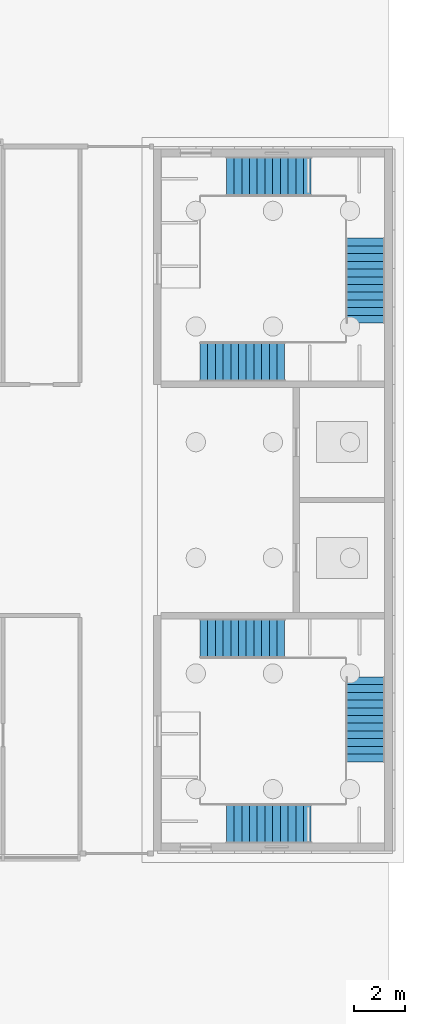
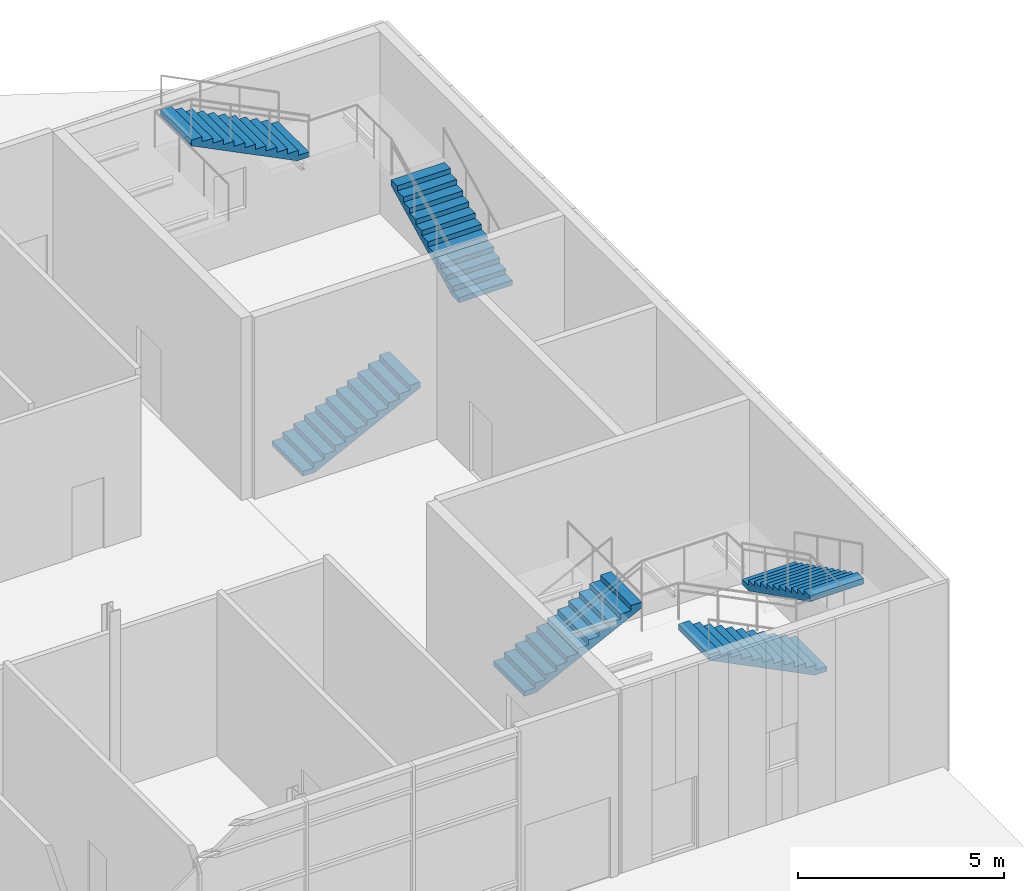
# One storey, part 36 of 45: 6 stair flights, 2 elements without a shape of their own.
"""IFC4 building model written with IfcOpenShell, lengths in metres."""

import ifcopenshell
import ifcopenshell.guid

model = None  # the IFC model being written
_history = None  # IfcOwnerHistory: only IFC2X3 demands one
_inside = {}  # id of a spatial element -> (the spatial element, [elements in it])
_under = {}  # id of a project, library or spatial element -> (it, [spatial elements below it])
_declared = {}  # id of a project -> (the project, [libraries it declares])
_typed = {}  # id of a type object -> (the type object, [elements of that type])
_made_of = {}  # id of a material, layer set ... -> (it, [elements and type objects made of it])


def new_model(schema):
    """Start an empty IFC model of exactly this schema.

    Asked for "IFC4X3", IfcOpenShell would pick the latest addendum, in which some entities
    have other attributes; the version numbers below select the first issue.
    IFC2X3 requires an IfcOwnerHistory on every rooted entity: one is made here for all.
    """
    global model, _history
    if schema == "IFC4X3":
        model = ifcopenshell.file(schema_version=(4, 3, 0, 0))
    else:
        model = ifcopenshell.file(schema=schema)
    _inside.clear()
    _under.clear()
    _declared.clear()
    _typed.clear()
    _made_of.clear()
    _history = None
    if model.schema == "IFC2X3":
        org = make("IfcOrganization", Name="unknown")
        user = make(
            "IfcPersonAndOrganization",
            ThePerson=make("IfcPerson", FamilyName="unknown"),
            TheOrganization=org,
        )
        app = make(
            "IfcApplication",
            ApplicationDeveloper=org,
            Version="unknown",
            ApplicationFullName="unknown",
            ApplicationIdentifier="unknown",
        )
        _history = make(
            "IfcOwnerHistory",
            OwningUser=user,
            OwningApplication=app,
            ChangeAction="ADDED",
            CreationDate=0,
        )
    return model


def make(cls, **values):
    """One entity of the class cls with the attributes given. An attribute that is None is left unset."""
    return model.create_entity(
        cls, **{name: value for name, value in values.items() if value is not None}
    )


def rooted(cls, **values):
    """An entity with a GlobalId (a new one), such as an element, a storey or a relation."""
    return make(cls, GlobalId=ifcopenshell.guid.new(), OwnerHistory=_history, **values)


def si_unit(unit_type, name, prefix=None):
    """IfcSIUnit, for example si_unit("LENGTHUNIT", "METRE", prefix="MILLI")."""
    return make("IfcSIUnit", UnitType=unit_type, Prefix=prefix, Name=name)


def assignment(units):
    """IfcUnitAssignment: the units of a project."""
    return None if units is None else make("IfcUnitAssignment", Units=units)


def point(xyz):
    """IfcCartesianPoint."""
    return None if xyz is None else make("IfcCartesianPoint", Coordinates=xyz)


def direction(xyz):
    """IfcDirection."""
    return None if xyz is None else make("IfcDirection", DirectionRatios=xyz)


def frame(location, z_axis=None, x_axis=None):
    """IfcAxis2Placement3D, a coordinate frame: its origin and axes. An axis left out is left unset."""
    return make(
        "IfcAxis2Placement3D",
        Location=point(location),
        Axis=direction(z_axis),
        RefDirection=direction(x_axis),
    )


def origin():
    """The frame at (0, 0, 0) with its axes left unset."""
    return frame((0.0, 0.0, 0.0))


def place(relative_to, where):
    """IfcLocalPlacement: puts the frame where relative to a parent placement (None: the world)."""
    return make(
        "IfcLocalPlacement", PlacementRelTo=relative_to, RelativePlacement=where
    )


def context(
    kind, dimensions, precision=None, world=None, true_north=None, identifier=None
):
    """IfcGeometricRepresentationContext, for example the 3D "Model" context."""
    return make(
        "IfcGeometricRepresentationContext",
        ContextIdentifier=identifier,
        ContextType=kind,
        CoordinateSpaceDimension=dimensions,
        Precision=precision,
        WorldCoordinateSystem=world,
        TrueNorth=true_north,
    )


def subcontext(parent, identifier, kind, view, scale=None):
    """IfcGeometricRepresentationSubContext, for example "Body" below "Model"."""
    return make(
        "IfcGeometricRepresentationSubContext",
        ContextIdentifier=identifier,
        ContextType=kind,
        ParentContext=parent,
        TargetScale=scale,
        TargetView=view,
    )


def project(units=None, contexts=None):
    """IfcProject with its units and contexts."""
    return rooted(
        "IfcProject",
        Name="project",
        RepresentationContexts=contexts,
        UnitsInContext=assignment(units),
    )


def spatial(cls, under=None, at=None, **own):
    """A site, building, storey or space (cls), placed at a placement, below another one or the project."""
    s = rooted(cls, ObjectPlacement=at, **own)
    if under is not None:
        _under.setdefault(under.id(), (under, []))[1].append(s)
    return s


def polyline(points):
    """IfcPolyline through the points."""
    return make("IfcPolyline", Points=[point(p) for p in points])


def outline(outer, holes=None, kind="AREA"):
    """IfcArbitraryClosedProfileDef: a profile drawn as a closed curve; with holes, ...WithVoids."""
    if holes is None:
        return make("IfcArbitraryClosedProfileDef", ProfileType=kind, OuterCurve=outer)
    return make(
        "IfcArbitraryProfileDefWithVoids",
        ProfileType=kind,
        OuterCurve=outer,
        InnerCurves=holes,
    )


def extrude(swept, where, along, depth):
    """IfcExtrudedAreaSolid: the profile swept, set in the frame where, extruded along a direction by depth."""
    return make(
        "IfcExtrudedAreaSolid",
        SweptArea=swept,
        Position=where,
        ExtrudedDirection=direction(along),
        Depth=depth,
    )


def shape(context_of_items, identifier, shape_type, items):
    """IfcShapeRepresentation: the items that make up one representation, for example the "Body"."""
    return make(
        "IfcShapeRepresentation",
        ContextOfItems=context_of_items,
        RepresentationIdentifier=identifier,
        RepresentationType=shape_type,
        Items=items,
    )


def material(Name=None, Category=None):
    """IfcMaterial."""
    return make("IfcMaterial", Name=Name, Category=Category)


def made_of(thing, what):
    """Note that an element or type object is made of a material, layer set ...; save() writes the relation."""
    if what is not None:
        _made_of.setdefault(what.id(), (what, []))[1].append(thing)
    return thing


def type_object(cls, material=None, **own):
    """A type object (cls), such as IfcWallType, which elements share."""
    return made_of(rooted(cls, **own), material)


def element(
    cls,
    number,
    at=None,
    inside=None,
    cuts=None,
    type_object=None,
    material=None,
    context=None,
    identifier="Body",
    shape_type=None,
    held_by="IfcProductDefinitionShape",
    body=None,
    shapes=None,
    **own,
):
    """One element of the class cls, such as IfcWall. Its Tag is "e" and its number.

    at: its placement. inside: the storey or other place that contains it. cuts: it is an
    opening in that element (IfcRelVoidsElement). A single representation is given by context,
    identifier, shape_type and body (its items); several are given by shapes. held_by: the class
    of the entity that holds the representations. save() writes the other relations.
    """
    e = rooted(cls, Tag="e%d" % number, ObjectPlacement=at, **own)
    if body is not None:
        shapes = [shape(context, identifier, shape_type, body)]
    if shapes is not None:
        e.Representation = make(held_by, Representations=shapes)
    if inside is not None:
        _inside.setdefault(inside.id(), (inside, []))[1].append(e)
    if cuts is not None:
        rooted(
            "IfcRelVoidsElement", RelatingBuildingElement=cuts, RelatedOpeningElement=e
        )
    if type_object is not None:
        _typed.setdefault(type_object.id(), (type_object, []))[1].append(e)
    return made_of(e, material)


def aggregate(whole, parts):
    """IfcRelAggregates: a whole, such as a stair, and the parts it consists of."""
    return rooted("IfcRelAggregates", RelatingObject=whole, RelatedObjects=parts)


def save(model, path):
    """Write the relations noted so far, then the file.

    IfcRelAggregates (storeys below a building ...), IfcRelContainedInSpatialStructure (elements
    in a storey), IfcRelDefinesByType, IfcRelAssociatesMaterial and IfcRelDeclares: one each for
    every whole, place, type object, material and project.
    """
    for whole, parts in _under.values():
        aggregate(whole, parts)
    for where, things in _inside.values():
        rooted(
            "IfcRelContainedInSpatialStructure",
            RelatedElements=things,
            RelatingStructure=where,
        )
    for kind, things in _typed.values():
        rooted("IfcRelDefinesByType", RelatedObjects=things, RelatingType=kind)
    for what, things in _made_of.values():
        rooted("IfcRelAssociatesMaterial", RelatedObjects=things, RelatingMaterial=what)
    for by, libraries in _declared.values():
        rooted("IfcRelDeclares", RelatingContext=by, RelatedDefinitions=libraries)
    model.write(path)


model = new_model("IFC4")

# Units and contexts
model_context = context("Model", 3, precision=1e-05, world=origin(), true_north=direction((0.0, 1.0)))
body_context = subcontext(model_context, "Body", "Model", "MODEL_VIEW")
ifc_project = project(units=[si_unit("LENGTHUNIT", "METRE"), si_unit("AREAUNIT", "SQUARE_METRE"), si_unit("VOLUMEUNIT", "CUBIC_METRE"), si_unit("PLANEANGLEUNIT", "RADIAN"), si_unit("MASSUNIT", "GRAM", prefix="KILO")], contexts=[model_context])

# Site, building, storey
site_placement = place(None, origin())
site = spatial("IfcSite", under=ifc_project, at=site_placement, CompositionType="ELEMENT")
building_placement = place(site_placement, origin())
building = spatial("IfcBuilding", under=site, at=building_placement, Name="Azimuth Sports and Learning Centre", CompositionType="ELEMENT")
storey_placement = place(building_placement, origin())
storey = spatial("IfcBuildingStorey", under=building, at=storey_placement, Name="L00", CompositionType="ELEMENT", Elevation=0.0)

# Stair, stair flights
ifc_material_1 = material(Name="Concrete C32/40", Category="concrete")
stair_type = type_object("IfcStairType", Name="Square-well stair end core 5400 storey", PredefinedType="THREE_QUARTER_TURN_STAIR", material=ifc_material_1)
stair_1_placement = place(storey_placement, origin())
stair_1 = element("IfcStair", 1, at=stair_1_placement, inside=storey, type_object=stair_type, Name="Stair EW1 L00-L01", PredefinedType="THREE_QUARTER_TURN_STAIR")
ifc_material_2 = material(Name="Concrete C32/40", Category="concrete")
stair_flight_type = type_object("IfcStairFlightType", Name="Stair flight 12 risers", PredefinedType="STRAIGHT", material=ifc_material_2)
stair_flight_1_placement = place(storey_placement, frame((163.659912109375, 98.114990234375, 0.0), z_axis=(0.0, 0.0, 1.0), x_axis=(1.0, 0.0, 0.0)))
stair_flight_1 = element("IfcStairFlight", 2, at=stair_flight_1_placement, type_object=stair_flight_type, Name="Stair EW1 L00 flight 1", NumberOfRisers=12, NumberOfTreads=11, PredefinedType="STRAIGHT", RiserHeight=0.15, TreadLength=0.3, context=body_context, shape_type="SweptSolid", body=[
    extrude(outline(polyline([(0.0, 0.0), (0.0, 0.14990234375), (0.300048828125, 0.14990234375), (0.300048828125, 0.300048828125), (0.60009765625, 0.300048828125), (0.60009765625, 0.449951171875), (0.89990234375, 0.449951171875), (0.89990234375, 0.60009765625), (1.199951171875, 0.60009765625), (1.199951171875, 0.75), (1.5, 0.75), (1.5, 0.89990234375), (1.800048828125, 0.89990234375), (1.800048828125, 1.050048828125), (2.10009765625, 1.050048828125), (2.10009765625, 1.199951171875), (2.39990234375, 1.199951171875), (2.39990234375, 1.35009765625), (2.699951171875, 1.35009765625), (2.699951171875, 1.5), (3.0, 1.5), (3.0, 1.64990234375), (3.300048828125, 1.64990234375), (3.300048828125, 1.800048828125), (3.300048828125, 1.482421875), (0.335205078125, 0.0), (0.0, 0.0)])), frame((0.0, 0.75, 0.0), z_axis=(0.0, -1.0, 0.0), x_axis=(1.0, 0.0, 0.0)), (0.0, 0.0, 1.0), 1.5),
])
stair_flight_2_placement = place(storey_placement, frame((170.090087890625, 96.614990234375, 1.800048828125), z_axis=(0.0, 0.0, 1.0), x_axis=(0.0, -1.0, 0.0)))
stair_flight_2 = element("IfcStairFlight", 3, at=stair_flight_2_placement, type_object=stair_flight_type, Name="Stair EW1 L00 flight 2", NumberOfRisers=12, NumberOfTreads=11, PredefinedType="STRAIGHT", RiserHeight=0.15, TreadLength=0.3, context=body_context, shape_type="SweptSolid", body=[
    extrude(outline(polyline([(0.0, 0.0), (0.0, 0.14990234375), (0.300048828125, 0.14990234375), (0.300048828125, 0.300048828125), (0.60009765625, 0.300048828125), (0.60009765625, 0.449951171875), (0.89990234375, 0.449951171875), (0.89990234375, 0.60009765625), (1.199951171875, 0.60009765625), (1.199951171875, 0.75), (1.5, 0.75), (1.5, 0.89990234375), (1.800048828125, 0.89990234375), (1.800048828125, 1.050048828125), (2.10009765625, 1.050048828125), (2.10009765625, 1.199951171875), (2.39990234375, 1.199951171875), (2.39990234375, 1.35009765625), (2.699951171875, 1.35009765625), (2.699951171875, 1.5), (3.0, 1.5), (3.0, 1.64990234375), (3.300048828125, 1.64990234375), (3.300048828125, 1.800048828125), (3.300048828125, 1.482421875), (0.335205078125, 0.0), (0.0, 0.0)])), frame((0.0, 0.75, 0.0), z_axis=(0.0, -1.0, 0.0), x_axis=(1.0, 0.0, 0.0)), (0.0, 0.0, 1.0), 1.5),
])
stair_flight_3_placement = place(storey_placement, frame((167.989990234375, 90.909912109375, 3.60009765625), z_axis=(0.0, 0.0, 1.0), x_axis=(-1.0, 0.0, 0.0)))
stair_flight_3 = element("IfcStairFlight", 4, at=stair_flight_3_placement, type_object=stair_flight_type, Name="Stair EW1 L00 flight 3", NumberOfRisers=12, NumberOfTreads=11, PredefinedType="STRAIGHT", RiserHeight=0.15, TreadLength=0.3, context=body_context, shape_type="SweptSolid", body=[
    extrude(outline(polyline([(0.0, 0.0), (0.0, 0.14990234375), (0.300048828125, 0.14990234375), (0.300048828125, 0.300048828125), (0.60009765625, 0.300048828125), (0.60009765625, 0.449951171875), (0.89990234375, 0.449951171875), (0.89990234375, 0.60009765625), (1.199951171875, 0.60009765625), (1.199951171875, 0.75), (1.5, 0.75), (1.5, 0.89990234375), (1.800048828125, 0.89990234375), (1.800048828125, 1.050048828125), (2.10009765625, 1.050048828125), (2.10009765625, 1.199951171875), (2.39990234375, 1.199951171875), (2.39990234375, 1.35009765625), (2.699951171875, 1.35009765625), (2.699951171875, 1.5), (3.0, 1.5), (3.0, 1.64990234375), (3.300048828125, 1.64990234375), (3.300048828125, 1.800048828125), (3.300048828125, 1.482421875), (0.335205078125, 0.0), (0.0, 0.0)])), frame((0.0, 0.75, 0.0), z_axis=(0.0, -1.0, 0.0), x_axis=(1.0, 0.0, 0.0)), (0.0, 0.0, 1.0), 1.5),
])
aggregate(stair_1, [stair_flight_1, stair_flight_2, stair_flight_3])

stair_2_placement = place(storey_placement, origin())
stair_2 = element("IfcStair", 5, at=stair_2_placement, inside=storey, type_object=stair_type, Name="Stair EW2 L00-L01", PredefinedType="THREE_QUARTER_TURN_STAIR")
stair_flight_4_placement = place(storey_placement, frame((163.659912109375, 108.885009765625, 0.0), z_axis=(0.0, 0.0, 1.0), x_axis=(1.0, 0.0, 0.0)))
stair_flight_4 = element("IfcStairFlight", 6, at=stair_flight_4_placement, type_object=stair_flight_type, Name="Stair EW2 L00 flight 1", NumberOfRisers=12, NumberOfTreads=11, PredefinedType="STRAIGHT", RiserHeight=0.15, TreadLength=0.3, context=body_context, shape_type="SweptSolid", body=[
    extrude(outline(polyline([(0.0, 0.0), (0.0, 0.14990234375), (0.300048828125, 0.14990234375), (0.300048828125, 0.300048828125), (0.60009765625, 0.300048828125), (0.60009765625, 0.449951171875), (0.89990234375, 0.449951171875), (0.89990234375, 0.60009765625), (1.199951171875, 0.60009765625), (1.199951171875, 0.75), (1.5, 0.75), (1.5, 0.89990234375), (1.800048828125, 0.89990234375), (1.800048828125, 1.050048828125), (2.10009765625, 1.050048828125), (2.10009765625, 1.199951171875), (2.39990234375, 1.199951171875), (2.39990234375, 1.35009765625), (2.699951171875, 1.35009765625), (2.699951171875, 1.5), (3.0, 1.5), (3.0, 1.64990234375), (3.300048828125, 1.64990234375), (3.300048828125, 1.800048828125), (3.300048828125, 1.482421875), (0.335205078125, 0.0), (0.0, 0.0)])), frame((0.0, 0.75, 0.0), z_axis=(0.0, -1.0, 0.0), x_axis=(1.0, 0.0, 0.0)), (0.0, 0.0, 1.0), 1.5),
])
stair_flight_5_placement = place(storey_placement, frame((170.090087890625, 110.385009765625, 1.800048828125), z_axis=(0.0, 0.0, 1.0), x_axis=(0.0, 1.0, 0.0)))
stair_flight_5 = element("IfcStairFlight", 7, at=stair_flight_5_placement, type_object=stair_flight_type, Name="Stair EW2 L00 flight 2", NumberOfRisers=12, NumberOfTreads=11, PredefinedType="STRAIGHT", RiserHeight=0.15, TreadLength=0.3, context=body_context, shape_type="SweptSolid", body=[
    extrude(outline(polyline([(0.0, 0.0), (0.0, 0.14990234375), (0.300048828125, 0.14990234375), (0.300048828125, 0.300048828125), (0.60009765625, 0.300048828125), (0.60009765625, 0.449951171875), (0.89990234375, 0.449951171875), (0.89990234375, 0.60009765625), (1.199951171875, 0.60009765625), (1.199951171875, 0.75), (1.5, 0.75), (1.5, 0.89990234375), (1.800048828125, 0.89990234375), (1.800048828125, 1.050048828125), (2.10009765625, 1.050048828125), (2.10009765625, 1.199951171875), (2.39990234375, 1.199951171875), (2.39990234375, 1.35009765625), (2.699951171875, 1.35009765625), (2.699951171875, 1.5), (3.0, 1.5), (3.0, 1.64990234375), (3.300048828125, 1.64990234375), (3.300048828125, 1.800048828125), (3.300048828125, 1.482421875), (0.335205078125, 0.0), (0.0, 0.0)])), frame((0.0, 0.75, 0.0), z_axis=(0.0, -1.0, 0.0), x_axis=(1.0, 0.0, 0.0)), (0.0, 0.0, 1.0), 1.5),
])
stair_flight_6_placement = place(storey_placement, frame((167.989990234375, 116.090087890625, 3.60009765625), z_axis=(0.0, 0.0, 1.0), x_axis=(-1.0, 0.0, 0.0)))
stair_flight_6 = element("IfcStairFlight", 8, at=stair_flight_6_placement, type_object=stair_flight_type, Name="Stair EW2 L00 flight 3", NumberOfRisers=12, NumberOfTreads=11, PredefinedType="STRAIGHT", RiserHeight=0.15, TreadLength=0.3, context=body_context, shape_type="SweptSolid", body=[
    extrude(outline(polyline([(0.0, 0.0), (0.0, 0.14990234375), (0.300048828125, 0.14990234375), (0.300048828125, 0.300048828125), (0.60009765625, 0.300048828125), (0.60009765625, 0.449951171875), (0.89990234375, 0.449951171875), (0.89990234375, 0.60009765625), (1.199951171875, 0.60009765625), (1.199951171875, 0.75), (1.5, 0.75), (1.5, 0.89990234375), (1.800048828125, 0.89990234375), (1.800048828125, 1.050048828125), (2.10009765625, 1.050048828125), (2.10009765625, 1.199951171875), (2.39990234375, 1.199951171875), (2.39990234375, 1.35009765625), (2.699951171875, 1.35009765625), (2.699951171875, 1.5), (3.0, 1.5), (3.0, 1.64990234375), (3.300048828125, 1.64990234375), (3.300048828125, 1.800048828125), (3.300048828125, 1.482421875), (0.335205078125, 0.0), (0.0, 0.0)])), frame((0.0, 0.75, 0.0), z_axis=(0.0, -1.0, 0.0), x_axis=(1.0, 0.0, 0.0)), (0.0, 0.0, 1.0), 1.5),
])
aggregate(stair_2, [stair_flight_4, stair_flight_5, stair_flight_6])

save(model, "model.ifc")
